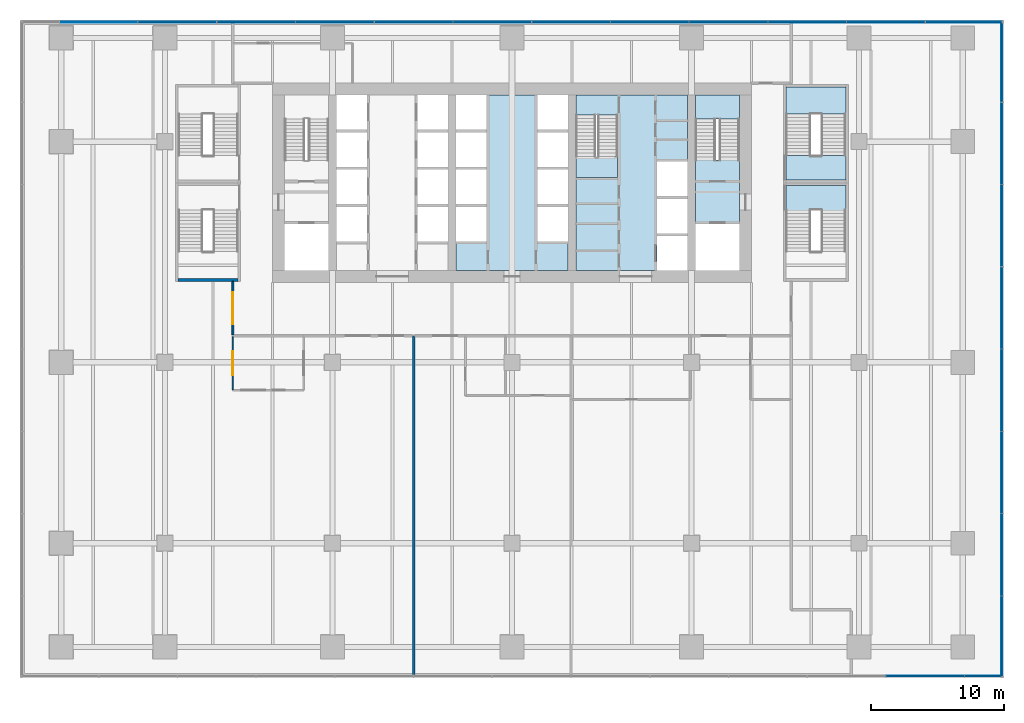
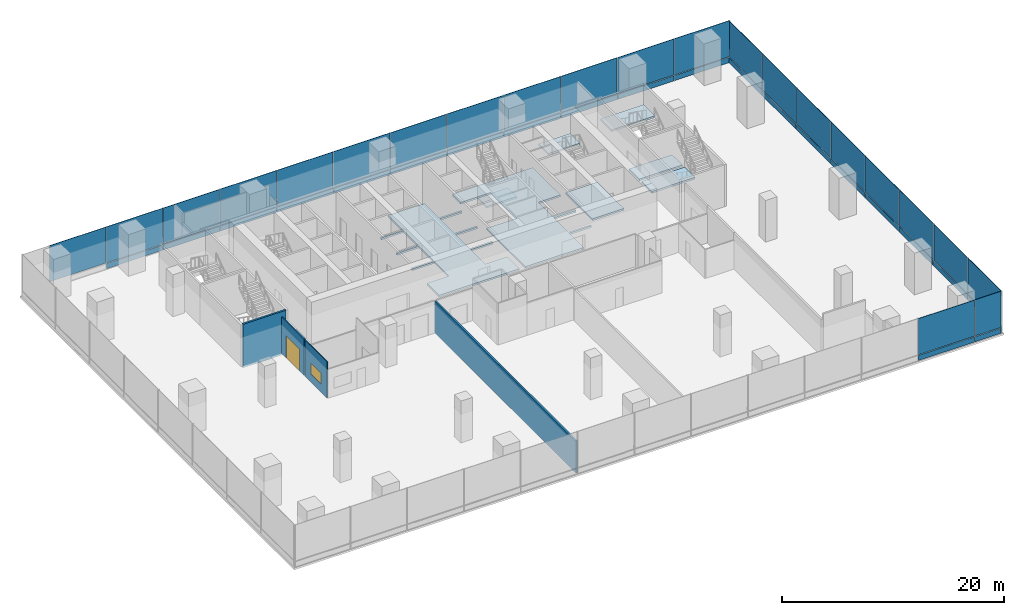
# One storey, part 18 of 28: 43 plates, 8 slabs, 4 walls, 2 windows, 2 openings, 6 elements without a shape of their own.
"""IFC4 building model written with IfcOpenShell, lengths in metres."""

from ifc_helpers import new_model, si_unit, direction, frame, frame_2d, origin, origin_2d, place, context, subcontext, project, spatial, polyline, rectangle, outline, extrude, material, layer, layer_set, type_object, element, fill, aggregate, save


model = new_model("IFC4")

# Units and contexts
model_context = context("Model", 3, precision=1e-05, world=origin(), true_north=direction((0.0, 1.0)))
body_context = subcontext(model_context, "Body", "Model", "MODEL_VIEW")
ifc_project = project(units=[si_unit("LENGTHUNIT", "METRE"), si_unit("AREAUNIT", "SQUARE_METRE"), si_unit("VOLUMEUNIT", "CUBIC_METRE"), si_unit("PLANEANGLEUNIT", "RADIAN"), si_unit("MASSUNIT", "GRAM", prefix="KILO")], contexts=[model_context])

# Site, building, storey
site_placement = place(None, origin())
site = spatial("IfcSite", under=ifc_project, at=site_placement, CompositionType="ELEMENT")
building_placement = place(site_placement, origin())
building = spatial("IfcBuilding", under=site, at=building_placement, Name="Rattan Terrace Tower", CompositionType="ELEMENT")
storey_placement = place(building_placement, frame((0.0, 0.0, 22.199951171875)))
storey = spatial("IfcBuildingStorey", under=building, at=storey_placement, Name="L04", CompositionType="ELEMENT", Elevation=22.199951171875)

# Stair, slab
ifc_material_1 = material(Name="Concrete C40/50", Category="concrete")
stair_type_1 = type_object("IfcStairType", Name="Core exit stair 1500", PredefinedType="HALF_TURN_STAIR", material=ifc_material_1)
stair_1_placement = place(storey_placement, origin())
stair_1 = element("IfcStair", 1, at=stair_1_placement, inside=storey, type_object=stair_type_1, Name="L04 exit stair 2", PredefinedType="HALF_TURN_STAIR")
ifc_material_2 = material(Name="Concrete C40/50", Category="concrete")
ifc_layer_1 = layer(ifc_material_2, 0.199951171875)
ifc_layer_set_1 = layer_set([ifc_layer_1], Name="Core exit stair landing")
slab_type_1 = type_object("IfcSlabType", Name="Core exit stair landing", PredefinedType="LANDING", material=ifc_layer_set_1)
slab_1_placement = place(storey_placement, frame((0.0, 0.0, 2.199951171875)))
slab_1 = element("IfcSlab", 2, at=slab_1_placement, type_object=slab_type_1, Name="S2 landing 1", PredefinedType="LANDING", context=body_context, shape_type="SweptSolid", body=[
    extrude(outline(polyline([(17.10009765625, 4.820068359375), (17.10009765625, 6.60009765625), (13.800048828125, 6.60009765625), (13.800048828125, 4.820068359375), (17.10009765625, 4.820068359375)])), origin(), (0.0, 0.0, 1.0), 0.2001953125),
])
aggregate(stair_1, [slab_1])

stair_2_placement = place(storey_placement, origin())
stair_2 = element("IfcStair", 3, at=stair_2_placement, inside=storey, type_object=stair_type_1, Name="L04 exit stair 3", PredefinedType="HALF_TURN_STAIR")
slab_2_placement = place(storey_placement, frame((0.0, 0.0, 2.199951171875)))
slab_2 = element("IfcSlab", 4, at=slab_2_placement, type_object=slab_type_1, Name="S3 landing 1", PredefinedType="LANDING", context=body_context, shape_type="SweptSolid", body=[
    extrude(outline(polyline([(4.800048828125, 1.97998046875), (4.800048828125, 0.39990234375), (7.949951171875, 0.39990234375), (7.949951171875, 1.97998046875), (4.800048828125, 1.97998046875)])), origin(), (0.0, 0.0, 1.0), 0.2001953125),
])
aggregate(stair_2, [slab_2])

ifc_material_3 = material(Name="Concrete C40/50", Category="concrete")
stair_type_2 = type_object("IfcStairType", Name="Core exit stair 1850", PredefinedType="HALF_TURN_STAIR", material=ifc_material_3)
stair_3_placement = place(storey_placement, origin())
stair_3 = element("IfcStair", 5, at=stair_3_placement, inside=storey, type_object=stair_type_2, Name="L04 exit stair 7", PredefinedType="HALF_TURN_STAIR")
slab_3_placement = place(storey_placement, frame((0.0, 0.0, 2.199951171875)))
slab_3 = element("IfcSlab", 6, at=slab_3_placement, type_object=slab_type_1, Name="S7 landing 1", PredefinedType="LANDING", context=body_context, shape_type="SweptSolid", body=[
    extrude(outline(polyline([(25.10009765625, 5.169921875), (25.10009765625, 7.199951171875), (20.60009765625, 7.199951171875), (20.60009765625, 5.169921875), (25.10009765625, 5.169921875)])), origin(), (0.0, 0.0, 1.0), 0.2001953125),
])
aggregate(stair_3, [slab_3])

# Slabs
ifc_material_4 = material(Name="Concrete C35/45", Category="concrete")
ifc_layer_2 = layer(ifc_material_4, 0.199951171875)
ifc_layer_set_2 = layer_set([ifc_layer_2], Name="Frame composite floor slab 200")
slab_type_2 = type_object("IfcSlabType", Name="Frame composite floor slab 200", PredefinedType="FLOOR", material=ifc_layer_set_2)
slab_4_placement = place(storey_placement, frame((0.0, 0.0, -0.199951171875)))
element("IfcSlab", 7, at=slab_4_placement, inside=storey, type_object=slab_type_2, Name="Floor slab", PredefinedType="FLOOR", context=body_context, shape_type="SweptSolid", body=[
    extrude(outline(polyline([(-4.199951171875, -6.60009765625), (4.199951171875, -6.60009765625), (4.199951171875, -4.39990234375), (1.89990234375, -4.39990234375), (1.89990234375, -1.800048828125), (4.199951171875, -1.800048828125), (4.199951171875, -1.60009765625), (1.89990234375, -1.60009765625), (1.89990234375, 1.0), (4.199951171875, 1.0), (4.199951171875, 1.199951171875), (1.89990234375, 1.199951171875), (1.89990234375, 3.800048828125), (4.199951171875, 3.800048828125), (4.199951171875, 4.0), (1.89990234375, 4.0), (1.89990234375, 6.60009765625), (-1.89990234375, 6.60009765625), (-1.89990234375, 4.0), (-4.199951171875, 4.0), (-4.199951171875, 3.800048828125), (-1.89990234375, 3.800048828125), (-1.89990234375, 1.199951171875), (-4.199951171875, 1.199951171875), (-4.199951171875, 1.0), (-1.89990234375, 1.0), (-1.89990234375, -1.60009765625), (-4.199951171875, -1.60009765625), (-4.199951171875, -1.800048828125), (-1.89990234375, -1.800048828125), (-1.89990234375, -4.39990234375), (-4.199951171875, -4.39990234375), (-4.199951171875, -6.60009765625)])), origin(), (0.0, 0.0, 1.0), 0.199951171875),
])
slab_5_placement = place(storey_placement, frame((0.0, 0.0, -0.199951171875)))
element("IfcSlab", 8, at=slab_5_placement, inside=storey, type_object=slab_type_2, Name="Floor slab", PredefinedType="FLOOR", context=body_context, shape_type="SweptSolid", body=[
    extrude(outline(polyline([(4.800048828125, -6.60009765625), (10.89990234375, -6.60009765625), (10.89990234375, -4.0), (13.199951171875, -4.0), (13.199951171875, -3.800048828125), (10.89990234375, -3.800048828125), (10.89990234375, -1.199951171875), (13.199951171875, -1.199951171875), (13.199951171875, -1.0), (10.89990234375, -1.0), (10.89990234375, 1.60009765625), (13.199951171875, 1.60009765625), (13.199951171875, 6.60009765625), (4.800048828125, 6.60009765625), (4.800048828125, 5.090087890625), (7.949951171875, 5.090087890625), (7.949951171875, 0.39990234375), (4.800048828125, 0.39990234375), (4.800048828125, -6.60009765625)])), origin(), (0.0, 0.0, 1.0), 0.199951171875),
])
slab_6_placement = place(storey_placement, frame((0.0, 0.0, -0.199951171875)))
element("IfcSlab", 9, at=slab_6_placement, inside=storey, type_object=slab_type_2, Name="Floor slab", PredefinedType="FLOOR", context=body_context, shape_type="SweptSolid", body=[
    extrude(outline(polyline([(17.10009765625, -3.10009765625), (17.10009765625, 1.7099609375), (13.800048828125, 1.7099609375), (13.800048828125, -3.10009765625), (17.10009765625, -3.10009765625)])), origin(), (0.0, 0.0, 1.0), 0.199951171875),
])
slab_7_placement = place(storey_placement, frame((0.0, 0.0, -0.199951171875)))
element("IfcSlab", 10, at=slab_7_placement, inside=storey, type_object=slab_type_2, Name="Floor slab", PredefinedType="FLOOR", context=body_context, shape_type="SweptSolid", body=[
    extrude(outline(polyline([(20.60009765625, -0.199951171875), (20.60009765625, -2.06005859375), (25.10009765625, -2.06005859375), (25.10009765625, -0.199951171875), (20.60009765625, -0.199951171875)])), origin(), (0.0, 0.0, 1.0), 0.199951171875),
])
slab_8_placement = place(storey_placement, frame((0.0, 0.0, -0.199951171875)))
element("IfcSlab", 11, at=slab_8_placement, inside=storey, type_object=slab_type_2, Name="Floor slab", PredefinedType="FLOOR", context=body_context, shape_type="SweptSolid", body=[
    extrude(outline(polyline([(20.60009765625, 0.199951171875), (25.10009765625, 0.199951171875), (25.10009765625, 2.06005859375), (20.60009765625, 2.06005859375), (20.60009765625, 0.199951171875)])), origin(), (0.0, 0.0, 1.0), 0.199951171875),
])

# Curtain wall, plates
ifc_material_5 = material(Name="Aluminium and glass", Category="aluminium")
ifc_layer_3 = layer(ifc_material_5, 0.1201171875)
ifc_layer_set_3 = layer_set([ifc_layer_3], Name="Station Storefront Curtain Wall")
curtain_wall_type = type_object("IfcCurtainWallType", Name="Station Storefront Curtain Wall", PredefinedType="NOTDEFINED", material=ifc_layer_set_3)
curtain_wall_1_placement = place(storey_placement, origin())
curtain_wall_1 = element("IfcCurtainWall", 12, at=curtain_wall_1_placement, inside=storey, type_object=curtain_wall_type, Name="Storefront curtain wall L04-1", PredefinedType="NOTDEFINED")
ifc_material_6 = material(Name="Granite bulkhead panel", Category="masonry")
ifc_layer_4 = layer(ifc_material_6, 0.110107421875)
ifc_layer_set_4 = layer_set([ifc_layer_4], Name="Storefront CW Stone Bulkhead Panel")
plate_type_1 = type_object("IfcPlateType", Name="Storefront CW Stone Bulkhead Panel", PredefinedType="CURTAIN_PANEL", material=ifc_layer_set_4)
plate_1_placement = place(storey_placement, frame((36.830078125, -34.08837890625, 0.0), z_axis=(0.0, 0.0, 1.0), x_axis=(0.0, 1.0, 0.0)))
plate_1 = element("IfcPlate", 13, at=plate_1_placement, type_object=plate_type_1, Name="Panel cwl-L04-001.1.1", PredefinedType="CURTAIN_PANEL", context=body_context, shape_type="SweptSolid", body=[
    extrude(rectangle(XDim=6.0029296875, YDim=0.110107421875, at=origin_2d()), origin(), (0.0, 0.0, 1.0), 0.574951171875),
])
plate_2_placement = place(storey_placement, frame((36.830078125, -27.968017578125, 0.0), z_axis=(0.0, 0.0, 1.0), x_axis=(0.0, 1.0, 0.0)))
plate_2 = element("IfcPlate", 14, at=plate_2_placement, type_object=plate_type_1, Name="Panel cwl-L04-001.2.1", PredefinedType="CURTAIN_PANEL", context=body_context, shape_type="SweptSolid", body=[
    extrude(rectangle(XDim=6.137939453125, YDim=0.110107421875, at=origin_2d()), origin(), (0.0, 0.0, 1.0), 0.574951171875),
])
plate_3_placement = place(storey_placement, frame((36.830078125, -21.780029296875, 0.0), z_axis=(0.0, 0.0, 1.0), x_axis=(0.0, 1.0, 0.0)))
plate_3 = element("IfcPlate", 15, at=plate_3_placement, type_object=plate_type_1, Name="Panel cwl-L04-001.3.1", PredefinedType="CURTAIN_PANEL", context=body_context, shape_type="SweptSolid", body=[
    extrude(rectangle(XDim=6.137939453125, YDim=0.110107421875, at=origin_2d()), origin(), (0.0, 0.0, 1.0), 0.574951171875),
])
plate_4_placement = place(storey_placement, frame((36.830078125, -15.592041015625, 0.0), z_axis=(0.0, 0.0, 1.0), x_axis=(0.0, 1.0, 0.0)))
plate_4 = element("IfcPlate", 16, at=plate_4_placement, type_object=plate_type_1, Name="Panel cwl-L04-001.4.1", PredefinedType="CURTAIN_PANEL", context=body_context, shape_type="SweptSolid", body=[
    extrude(rectangle(XDim=6.137939453125, YDim=0.110107421875, at=origin_2d()), origin(), (0.0, 0.0, 1.0), 0.574951171875),
])
plate_5_placement = place(storey_placement, frame((36.830078125, -9.404052734375, 0.0), z_axis=(0.0, 0.0, 1.0), x_axis=(0.0, 1.0, 0.0)))
plate_5 = element("IfcPlate", 17, at=plate_5_placement, type_object=plate_type_1, Name="Panel cwl-L04-001.5.1", PredefinedType="CURTAIN_PANEL", context=body_context, shape_type="SweptSolid", body=[
    extrude(rectangle(XDim=6.137939453125, YDim=0.110107421875, at=origin_2d()), origin(), (0.0, 0.0, 1.0), 0.574951171875),
])
plate_6_placement = place(storey_placement, frame((36.830078125, -3.216064453125, 0.0), z_axis=(0.0, 0.0, 1.0), x_axis=(0.0, 1.0, 0.0)))
plate_6 = element("IfcPlate", 18, at=plate_6_placement, type_object=plate_type_1, Name="Panel cwl-L04-001.6.1", PredefinedType="CURTAIN_PANEL", context=body_context, shape_type="SweptSolid", body=[
    extrude(rectangle(XDim=6.137939453125, YDim=0.110107421875, at=origin_2d()), origin(), (0.0, 0.0, 1.0), 0.574951171875),
])
plate_7_placement = place(storey_placement, frame((36.830078125, 2.971923828125, 0.0), z_axis=(0.0, 0.0, 1.0), x_axis=(0.0, 1.0, 0.0)))
plate_7 = element("IfcPlate", 19, at=plate_7_placement, type_object=plate_type_1, Name="Panel cwl-L04-001.7.1", PredefinedType="CURTAIN_PANEL", context=body_context, shape_type="SweptSolid", body=[
    extrude(rectangle(XDim=6.137939453125, YDim=0.110107421875, at=origin_2d()), origin(), (0.0, 0.0, 1.0), 0.574951171875),
])
plate_8_placement = place(storey_placement, frame((36.830078125, 9.055419921875, 0.0), z_axis=(0.0, 0.0, 1.0), x_axis=(0.0, 1.0, 0.0)))
plate_8 = element("IfcPlate", 20, at=plate_8_placement, type_object=plate_type_1, Name="Panel cwl-L04-001.8.1", PredefinedType="CURTAIN_PANEL", context=body_context, shape_type="SweptSolid", body=[
    extrude(rectangle(XDim=5.928955078125, YDim=0.110107421875, at=origin_2d()), origin(), (0.0, 0.0, 1.0), 0.574951171875),
])

curtain_wall_2_placement = place(storey_placement, origin())
curtain_wall_2 = element("IfcCurtainWall", 21, at=curtain_wall_2_placement, inside=storey, type_object=curtain_wall_type, Name="Storefront curtain wall L04-2", PredefinedType="NOTDEFINED")
plate_9_placement = place(storey_placement, frame((33.972412109375, 12.080078125, 0.0), z_axis=(0.0, 0.0, 1.0), x_axis=(-1.0, 0.0, 0.0)))
plate_9 = element("IfcPlate", 22, at=plate_9_placement, type_object=plate_type_1, Name="Panel cwl-L04-002.1.1", PredefinedType="CURTAIN_PANEL", context=body_context, shape_type="SweptSolid", body=[
    extrude(rectangle(XDim=5.735107421875, YDim=0.110107421875, at=origin_2d()), origin(), (0.0, 0.0, 1.0), 0.574951171875),
])
plate_10_placement = place(storey_placement, frame((28.1201171875, 12.080078125, 0.0), z_axis=(0.0, 0.0, 1.0), x_axis=(-1.0, 0.0, 0.0)))
plate_10 = element("IfcPlate", 23, at=plate_10_placement, type_object=plate_type_1, Name="Panel cwl-L04-002.2.1", PredefinedType="CURTAIN_PANEL", context=body_context, shape_type="SweptSolid", body=[
    extrude(rectangle(XDim=5.8701171875, YDim=0.110107421875, at=origin_2d()), origin(), (0.0, 0.0, 1.0), 0.574951171875),
])
plate_11_placement = place(storey_placement, frame((22.199951171875, 12.080078125, 0.0), z_axis=(0.0, 0.0, 1.0), x_axis=(-1.0, 0.0, 0.0)))
plate_11 = element("IfcPlate", 24, at=plate_11_placement, type_object=plate_type_1, Name="Panel cwl-L04-002.3.1", PredefinedType="CURTAIN_PANEL", context=body_context, shape_type="SweptSolid", body=[
    extrude(rectangle(XDim=5.8701171875, YDim=0.110107421875, at=origin_2d()), origin(), (0.0, 0.0, 1.0), 0.574951171875),
])
plate_12_placement = place(storey_placement, frame((16.280029296875, 12.080078125, 0.0), z_axis=(0.0, 0.0, 1.0), x_axis=(-1.0, 0.0, 0.0)))
plate_12 = element("IfcPlate", 25, at=plate_12_placement, type_object=plate_type_1, Name="Panel cwl-L04-002.4.1", PredefinedType="CURTAIN_PANEL", context=body_context, shape_type="SweptSolid", body=[
    extrude(rectangle(XDim=5.8701171875, YDim=0.110107421875, at=origin_2d()), origin(), (0.0, 0.0, 1.0), 0.574951171875),
])
plate_13_placement = place(storey_placement, frame((10.360107421875, 12.080078125, 0.0), z_axis=(0.0, 0.0, 1.0), x_axis=(-1.0, 0.0, 0.0)))
plate_13 = element("IfcPlate", 26, at=plate_13_placement, type_object=plate_type_1, Name="Panel cwl-L04-002.5.1", PredefinedType="CURTAIN_PANEL", context=body_context, shape_type="SweptSolid", body=[
    extrude(rectangle(XDim=5.8701171875, YDim=0.110107421875, at=origin_2d()), origin(), (0.0, 0.0, 1.0), 0.574951171875),
])
plate_14_placement = place(storey_placement, frame((4.43994140625, 12.080078125, 0.0), z_axis=(0.0, 0.0, 1.0), x_axis=(-1.0, 0.0, 0.0)))
plate_14 = element("IfcPlate", 27, at=plate_14_placement, type_object=plate_type_1, Name="Panel cwl-L04-002.6.1", PredefinedType="CURTAIN_PANEL", context=body_context, shape_type="SweptSolid", body=[
    extrude(rectangle(XDim=5.8701171875, YDim=0.110107421875, at=origin_2d()), origin(), (0.0, 0.0, 1.0), 0.574951171875),
])
plate_15_placement = place(storey_placement, frame((-1.47998046875, 12.080078125, 0.0), z_axis=(0.0, 0.0, 1.0), x_axis=(-1.0, 0.0, 0.0)))
plate_15 = element("IfcPlate", 28, at=plate_15_placement, type_object=plate_type_1, Name="Panel cwl-L04-002.7.1", PredefinedType="CURTAIN_PANEL", context=body_context, shape_type="SweptSolid", body=[
    extrude(rectangle(XDim=5.8701171875, YDim=0.110107421875, at=origin_2d()), origin(), (0.0, 0.0, 1.0), 0.574951171875),
])
plate_16_placement = place(storey_placement, frame((-7.39990234375, 12.080078125, 0.0), z_axis=(0.0, 0.0, 1.0), x_axis=(-1.0, 0.0, 0.0)))
plate_16 = element("IfcPlate", 29, at=plate_16_placement, type_object=plate_type_1, Name="Panel cwl-L04-002.8.1", PredefinedType="CURTAIN_PANEL", context=body_context, shape_type="SweptSolid", body=[
    extrude(rectangle(XDim=5.8701171875, YDim=0.110107421875, at=origin_2d()), origin(), (0.0, 0.0, 1.0), 0.574951171875),
])
plate_17_placement = place(storey_placement, frame((-13.320068359375, 12.080078125, 0.0), z_axis=(0.0, 0.0, 1.0), x_axis=(-1.0, 0.0, 0.0)))
plate_17 = element("IfcPlate", 30, at=plate_17_placement, type_object=plate_type_1, Name="Panel cwl-L04-002.9.1", PredefinedType="CURTAIN_PANEL", context=body_context, shape_type="SweptSolid", body=[
    extrude(rectangle(XDim=5.8701171875, YDim=0.110107421875, at=origin_2d()), origin(), (0.0, 0.0, 1.0), 0.574951171875),
])
plate_18_placement = place(storey_placement, frame((-19.239990234375, 12.080078125, 0.0), z_axis=(0.0, 0.0, 1.0), x_axis=(-1.0, 0.0, 0.0)))
plate_18 = element("IfcPlate", 31, at=plate_18_placement, type_object=plate_type_1, Name="Panel cwl-L04-002.10.1", PredefinedType="CURTAIN_PANEL", context=body_context, shape_type="SweptSolid", body=[
    extrude(rectangle(XDim=5.8701171875, YDim=0.110107421875, at=origin_2d()), origin(), (0.0, 0.0, 1.0), 0.574951171875),
])
plate_19_placement = place(storey_placement, frame((-25.159912109375, 12.080078125, 0.0), z_axis=(0.0, 0.0, 1.0), x_axis=(-1.0, 0.0, 0.0)))
plate_19 = element("IfcPlate", 32, at=plate_19_placement, type_object=plate_type_1, Name="Panel cwl-L04-002.11.1", PredefinedType="CURTAIN_PANEL", context=body_context, shape_type="SweptSolid", body=[
    extrude(rectangle(XDim=5.8701171875, YDim=0.110107421875, at=origin_2d()), origin(), (0.0, 0.0, 1.0), 0.574951171875),
])

curtain_wall_3_placement = place(storey_placement, origin())
curtain_wall_3 = element("IfcCurtainWall", 33, at=curtain_wall_3_placement, inside=storey, type_object=curtain_wall_type, Name="Storefront curtain wall L04-4", PredefinedType="NOTDEFINED")
plate_20_placement = place(storey_placement, frame((31.080078125, -37.080078125, 0.0), z_axis=(0.0, 0.0, 1.0), x_axis=(1.0, 0.0, 0.0)))
plate_20 = element("IfcPlate", 34, at=plate_20_placement, type_object=plate_type_1, Name="Panel cwl-L04-004.12.1", PredefinedType="CURTAIN_PANEL", context=body_context, shape_type="SweptSolid", body=[
    extrude(rectangle(XDim=5.8701171875, YDim=0.110107421875, at=origin_2d()), origin(), (0.0, 0.0, 1.0), 0.574951171875),
])
plate_21_placement = place(storey_placement, frame((35.41748046875, -37.080078125, 0.0), z_axis=(0.0, 0.0, 1.0), x_axis=(1.0, 0.0, 0.0)))
plate_21 = element("IfcPlate", 35, at=plate_21_placement, type_object=plate_type_1, Name="Panel cwl-L04-004.13.1", PredefinedType="CURTAIN_PANEL", context=body_context, shape_type="SweptSolid", body=[
    extrude(rectangle(XDim=2.705078125, YDim=0.110107421875, at=origin_2d()), origin(), (0.0, 0.0, 1.0), 0.574951171875),
])

# Plate
ifc_material_7 = material(Name="Clear toughened glass", Category="glass")
ifc_layer_5 = layer(ifc_material_7, 0.0439453125)
ifc_layer_set_5 = layer_set([ifc_layer_5], Name="Storefront CW Vision Panel")
plate_type_2 = type_object("IfcPlateType", Name="Storefront CW Vision Panel", PredefinedType="CURTAIN_PANEL", material=ifc_layer_set_5)
plate_22_placement = place(storey_placement, frame((36.830078125, -34.08837890625, 0.625), z_axis=(0.0, 0.0, 1.0), x_axis=(0.0, 1.0, 0.0)))
plate_22 = element("IfcPlate", 36, at=plate_22_placement, type_object=plate_type_2, Name="Panel cwl-L04-001.1.2", PredefinedType="CURTAIN_PANEL", context=body_context, shape_type="SweptSolid", body=[
    extrude(rectangle(XDim=6.0029296875, YDim=0.0439453125, at=origin_2d()), origin(), (0.0, 0.0, 1.0), 3.97509765625),
])

plate_23_placement = place(storey_placement, frame((36.830078125, -27.968017578125, 0.625), z_axis=(0.0, 0.0, 1.0), x_axis=(0.0, 1.0, 0.0)))
plate_23 = element("IfcPlate", 37, at=plate_23_placement, type_object=plate_type_2, Name="Panel cwl-L04-001.2.2", PredefinedType="CURTAIN_PANEL", context=body_context, shape_type="SweptSolid", body=[
    extrude(rectangle(XDim=6.137939453125, YDim=0.0439453125, at=origin_2d()), origin(), (0.0, 0.0, 1.0), 3.97509765625),
])

plate_24_placement = place(storey_placement, frame((36.830078125, -21.780029296875, 0.625), z_axis=(0.0, 0.0, 1.0), x_axis=(0.0, 1.0, 0.0)))
plate_24 = element("IfcPlate", 38, at=plate_24_placement, type_object=plate_type_2, Name="Panel cwl-L04-001.3.2", PredefinedType="CURTAIN_PANEL", context=body_context, shape_type="SweptSolid", body=[
    extrude(rectangle(XDim=6.137939453125, YDim=0.0439453125, at=origin_2d()), origin(), (0.0, 0.0, 1.0), 3.97509765625),
])

plate_25_placement = place(storey_placement, frame((36.830078125, -15.592041015625, 0.625), z_axis=(0.0, 0.0, 1.0), x_axis=(0.0, 1.0, 0.0)))
plate_25 = element("IfcPlate", 39, at=plate_25_placement, type_object=plate_type_2, Name="Panel cwl-L04-001.4.2", PredefinedType="CURTAIN_PANEL", context=body_context, shape_type="SweptSolid", body=[
    extrude(rectangle(XDim=6.137939453125, YDim=0.0439453125, at=origin_2d()), origin(), (0.0, 0.0, 1.0), 3.97509765625),
])

plate_26_placement = place(storey_placement, frame((36.830078125, -9.404052734375, 0.625), z_axis=(0.0, 0.0, 1.0), x_axis=(0.0, 1.0, 0.0)))
plate_26 = element("IfcPlate", 40, at=plate_26_placement, type_object=plate_type_2, Name="Panel cwl-L04-001.5.2", PredefinedType="CURTAIN_PANEL", context=body_context, shape_type="SweptSolid", body=[
    extrude(rectangle(XDim=6.137939453125, YDim=0.0439453125, at=origin_2d()), origin(), (0.0, 0.0, 1.0), 3.97509765625),
])

plate_27_placement = place(storey_placement, frame((36.830078125, -3.216064453125, 0.625), z_axis=(0.0, 0.0, 1.0), x_axis=(0.0, 1.0, 0.0)))
plate_27 = element("IfcPlate", 41, at=plate_27_placement, type_object=plate_type_2, Name="Panel cwl-L04-001.6.2", PredefinedType="CURTAIN_PANEL", context=body_context, shape_type="SweptSolid", body=[
    extrude(rectangle(XDim=6.137939453125, YDim=0.0439453125, at=origin_2d()), origin(), (0.0, 0.0, 1.0), 3.97509765625),
])

plate_28_placement = place(storey_placement, frame((36.830078125, 2.971923828125, 0.625), z_axis=(0.0, 0.0, 1.0), x_axis=(0.0, 1.0, 0.0)))
plate_28 = element("IfcPlate", 42, at=plate_28_placement, type_object=plate_type_2, Name="Panel cwl-L04-001.7.2", PredefinedType="CURTAIN_PANEL", context=body_context, shape_type="SweptSolid", body=[
    extrude(rectangle(XDim=6.137939453125, YDim=0.0439453125, at=origin_2d()), origin(), (0.0, 0.0, 1.0), 3.97509765625),
])

plate_29_placement = place(storey_placement, frame((36.830078125, 9.055419921875, 0.625), z_axis=(0.0, 0.0, 1.0), x_axis=(0.0, 1.0, 0.0)))
plate_29 = element("IfcPlate", 43, at=plate_29_placement, type_object=plate_type_2, Name="Panel cwl-L04-001.8.2", PredefinedType="CURTAIN_PANEL", context=body_context, shape_type="SweptSolid", body=[
    extrude(rectangle(XDim=5.928955078125, YDim=0.0439453125, at=origin_2d()), origin(), (0.0, 0.0, 1.0), 3.97509765625),
])

aggregate(curtain_wall_1, [plate_1, plate_22, plate_2, plate_23, plate_3, plate_24, plate_4, plate_25, plate_5, plate_26, plate_6, plate_27, plate_7, plate_28, plate_8, plate_29])

plate_30_placement = place(storey_placement, frame((33.972412109375, 12.080078125, 0.625), z_axis=(0.0, 0.0, 1.0), x_axis=(-1.0, 0.0, 0.0)))
plate_30 = element("IfcPlate", 44, at=plate_30_placement, type_object=plate_type_2, Name="Panel cwl-L04-002.1.2", PredefinedType="CURTAIN_PANEL", context=body_context, shape_type="SweptSolid", body=[
    extrude(rectangle(XDim=5.735107421875, YDim=0.0439453125, at=origin_2d()), origin(), (0.0, 0.0, 1.0), 3.97509765625),
])

plate_31_placement = place(storey_placement, frame((28.1201171875, 12.080078125, 0.625), z_axis=(0.0, 0.0, 1.0), x_axis=(-1.0, 0.0, 0.0)))
plate_31 = element("IfcPlate", 45, at=plate_31_placement, type_object=plate_type_2, Name="Panel cwl-L04-002.2.2", PredefinedType="CURTAIN_PANEL", context=body_context, shape_type="SweptSolid", body=[
    extrude(rectangle(XDim=5.8701171875, YDim=0.0439453125, at=origin_2d()), origin(), (0.0, 0.0, 1.0), 3.97509765625),
])

plate_32_placement = place(storey_placement, frame((22.199951171875, 12.080078125, 0.625), z_axis=(0.0, 0.0, 1.0), x_axis=(-1.0, 0.0, 0.0)))
plate_32 = element("IfcPlate", 46, at=plate_32_placement, type_object=plate_type_2, Name="Panel cwl-L04-002.3.2", PredefinedType="CURTAIN_PANEL", context=body_context, shape_type="SweptSolid", body=[
    extrude(rectangle(XDim=5.8701171875, YDim=0.0439453125, at=origin_2d()), origin(), (0.0, 0.0, 1.0), 3.97509765625),
])

plate_33_placement = place(storey_placement, frame((16.280029296875, 12.080078125, 0.625), z_axis=(0.0, 0.0, 1.0), x_axis=(-1.0, 0.0, 0.0)))
plate_33 = element("IfcPlate", 47, at=plate_33_placement, type_object=plate_type_2, Name="Panel cwl-L04-002.4.2", PredefinedType="CURTAIN_PANEL", context=body_context, shape_type="SweptSolid", body=[
    extrude(rectangle(XDim=5.8701171875, YDim=0.0439453125, at=origin_2d()), origin(), (0.0, 0.0, 1.0), 3.97509765625),
])

plate_34_placement = place(storey_placement, frame((10.360107421875, 12.080078125, 0.625), z_axis=(0.0, 0.0, 1.0), x_axis=(-1.0, 0.0, 0.0)))
plate_34 = element("IfcPlate", 48, at=plate_34_placement, type_object=plate_type_2, Name="Panel cwl-L04-002.5.2", PredefinedType="CURTAIN_PANEL", context=body_context, shape_type="SweptSolid", body=[
    extrude(rectangle(XDim=5.8701171875, YDim=0.0439453125, at=origin_2d()), origin(), (0.0, 0.0, 1.0), 3.97509765625),
])

plate_35_placement = place(storey_placement, frame((4.43994140625, 12.080078125, 0.625), z_axis=(0.0, 0.0, 1.0), x_axis=(-1.0, 0.0, 0.0)))
plate_35 = element("IfcPlate", 49, at=plate_35_placement, type_object=plate_type_2, Name="Panel cwl-L04-002.6.2", PredefinedType="CURTAIN_PANEL", context=body_context, shape_type="SweptSolid", body=[
    extrude(rectangle(XDim=5.8701171875, YDim=0.0439453125, at=origin_2d()), origin(), (0.0, 0.0, 1.0), 3.97509765625),
])

plate_36_placement = place(storey_placement, frame((-1.47998046875, 12.080078125, 0.625), z_axis=(0.0, 0.0, 1.0), x_axis=(-1.0, 0.0, 0.0)))
plate_36 = element("IfcPlate", 50, at=plate_36_placement, type_object=plate_type_2, Name="Panel cwl-L04-002.7.2", PredefinedType="CURTAIN_PANEL", context=body_context, shape_type="SweptSolid", body=[
    extrude(rectangle(XDim=5.8701171875, YDim=0.0439453125, at=origin_2d()), origin(), (0.0, 0.0, 1.0), 3.97509765625),
])

plate_37_placement = place(storey_placement, frame((-7.39990234375, 12.080078125, 0.625), z_axis=(0.0, 0.0, 1.0), x_axis=(-1.0, 0.0, 0.0)))
plate_37 = element("IfcPlate", 51, at=plate_37_placement, type_object=plate_type_2, Name="Panel cwl-L04-002.8.2", PredefinedType="CURTAIN_PANEL", context=body_context, shape_type="SweptSolid", body=[
    extrude(rectangle(XDim=5.8701171875, YDim=0.0439453125, at=origin_2d()), origin(), (0.0, 0.0, 1.0), 3.97509765625),
])

plate_38_placement = place(storey_placement, frame((-13.320068359375, 12.080078125, 0.625), z_axis=(0.0, 0.0, 1.0), x_axis=(-1.0, 0.0, 0.0)))
plate_38 = element("IfcPlate", 52, at=plate_38_placement, type_object=plate_type_2, Name="Panel cwl-L04-002.9.2", PredefinedType="CURTAIN_PANEL", context=body_context, shape_type="SweptSolid", body=[
    extrude(rectangle(XDim=5.8701171875, YDim=0.0439453125, at=origin_2d()), origin(), (0.0, 0.0, 1.0), 3.97509765625),
])

plate_39_placement = place(storey_placement, frame((-19.239990234375, 12.080078125, 0.625), z_axis=(0.0, 0.0, 1.0), x_axis=(-1.0, 0.0, 0.0)))
plate_39 = element("IfcPlate", 53, at=plate_39_placement, type_object=plate_type_2, Name="Panel cwl-L04-002.10.2", PredefinedType="CURTAIN_PANEL", context=body_context, shape_type="SweptSolid", body=[
    extrude(rectangle(XDim=5.8701171875, YDim=0.0439453125, at=origin_2d()), origin(), (0.0, 0.0, 1.0), 3.97509765625),
])

plate_40_placement = place(storey_placement, frame((-25.159912109375, 12.080078125, 0.625), z_axis=(0.0, 0.0, 1.0), x_axis=(-1.0, 0.0, 0.0)))
plate_40 = element("IfcPlate", 54, at=plate_40_placement, type_object=plate_type_2, Name="Panel cwl-L04-002.11.2", PredefinedType="CURTAIN_PANEL", context=body_context, shape_type="SweptSolid", body=[
    extrude(rectangle(XDim=5.8701171875, YDim=0.0439453125, at=origin_2d()), origin(), (0.0, 0.0, 1.0), 3.97509765625),
])

plate_41_placement = place(storey_placement, frame((-31.080078125, 12.080078125, 0.625), z_axis=(0.0, 0.0, 1.0), x_axis=(-1.0, 0.0, 0.0)))
plate_41 = element("IfcPlate", 55, at=plate_41_placement, type_object=plate_type_2, Name="Panel cwl-L04-002.12.2", PredefinedType="CURTAIN_PANEL", context=body_context, shape_type="SweptSolid", body=[
    extrude(rectangle(XDim=5.8701171875, YDim=0.0439453125, at=origin_2d()), origin(), (0.0, 0.0, 1.0), 3.97509765625),
])

aggregate(curtain_wall_2, [plate_9, plate_30, plate_10, plate_31, plate_11, plate_32, plate_12, plate_33, plate_13, plate_34, plate_14, plate_35, plate_15, plate_36, plate_16, plate_37, plate_17, plate_38, plate_18, plate_39, plate_19, plate_40, plate_41])

plate_42_placement = place(storey_placement, frame((31.080078125, -37.080078125, 0.625), z_axis=(0.0, 0.0, 1.0), x_axis=(1.0, 0.0, 0.0)))
plate_42 = element("IfcPlate", 56, at=plate_42_placement, type_object=plate_type_2, Name="Panel cwl-L04-004.12.2", PredefinedType="CURTAIN_PANEL", context=body_context, shape_type="SweptSolid", body=[
    extrude(rectangle(XDim=5.8701171875, YDim=0.0439453125, at=origin_2d()), origin(), (0.0, 0.0, 1.0), 3.97509765625),
])

plate_43_placement = place(storey_placement, frame((35.41748046875, -37.080078125, 0.625), z_axis=(0.0, 0.0, 1.0), x_axis=(1.0, 0.0, 0.0)))
plate_43 = element("IfcPlate", 57, at=plate_43_placement, type_object=plate_type_2, Name="Panel cwl-L04-004.13.2", PredefinedType="CURTAIN_PANEL", context=body_context, shape_type="SweptSolid", body=[
    extrude(rectangle(XDim=2.705078125, YDim=0.0439453125, at=origin_2d()), origin(), (0.0, 0.0, 1.0), 3.97509765625),
])

aggregate(curtain_wall_3, [plate_20, plate_42, plate_21, plate_43])

# Wall
ifc_material_8 = material(Name="Double steel stud acoustic partition, gypsum board, mineral wool, fire rated", Category="steel")
ifc_layer_6 = layer(ifc_material_8, 0.179931640625)
ifc_layer_set_6 = layer_set([ifc_layer_6], Name="Floors Acoustic Party Wall 180")
wall_type_1 = type_object("IfcWallType", Name="Floors Acoustic Party Wall 180", PredefinedType="PARTITIONING", material=ifc_layer_set_6)
wall_1_placement = place(storey_placement, frame((-7.39990234375, -11.5, 0.0), z_axis=(0.0, 0.0, 1.0), x_axis=(0.0, -1.0, 0.0)))
element("IfcWall", 58, at=wall_1_placement, inside=storey, type_object=wall_type_1, Name="pt-L04-016", PredefinedType="PARTITIONING", context=body_context, shape_type="SweptSolid", body=[
    extrude(rectangle(XDim=25.489990234375, YDim=0.179931640625, at=frame_2d((12.7451171875, 0.0))), origin(), (0.0, 0.0, 1.0), 3.5),
])

# Wall, opening, window
ifc_material_9 = material(Name="Gypsum board partition on steel studs", Category="steel")
ifc_layer_7 = layer(ifc_material_9, 0.10009765625)
ifc_layer_set_7 = layer_set([ifc_layer_7], Name="Floors Partition 100")
wall_type_2 = type_object("IfcWallType", Name="Floors Partition 100", PredefinedType="PARTITIONING", material=ifc_layer_set_7)
wall_2_placement = place(storey_placement, frame((-21.0, -11.574951171875, 0.0), z_axis=(0.0, 0.0, 1.0), x_axis=(0.0, -1.0, 0.0)))
wall_2 = element("IfcWall", 59, at=wall_2_placement, inside=storey, type_object=wall_type_2, Name="pt-L04-013", PredefinedType="PARTITIONING", context=body_context, shape_type="SweptSolid", body=[
    extrude(rectangle(XDim=3.968994140625, YDim=0.10009765625, at=frame_2d((1.984375, 0.0))), origin(), (0.0, 0.0, 1.0), 4.0),
])
opening_1_placement = place(wall_2_placement, frame((1.083984375, 0.0, 0.89990234375)))
opening_1 = element("IfcOpeningElement", 60, at=opening_1_placement, cuts=wall_2, Name="Opening L04-W102", PredefinedType="OPENING", context=body_context, shape_type="SweptSolid", body=[
    extrude(rectangle(XDim=1.800048828125, YDim=1.199951171875, at=frame_2d((0.89990234375, 0.60009765625))), frame((0.0, 0.060546875, 0.0), z_axis=(0.0, -1.0, 0.0), x_axis=(1.0, 0.0, 0.0)), (0.0, 0.0, 1.0), 0.12109375),
])
ifc_material_10 = material(Name="Glass, clear, fixed in aluminium frame", Category="aluminium")
window_type_1 = type_object("IfcWindowType", Name="Interior Vision Window 1800x1200", PartitioningType="SINGLE_PANEL", PredefinedType="WINDOW", material=ifc_material_10)
window_1_placement = place(opening_1_placement, origin())
window_1 = element("IfcWindow", 61, at=window_1_placement, inside=storey, type_object=window_type_1, Name="w-L04-102", OverallHeight=1.199951171875, OverallWidth=1.800048828125, PartitioningType="SINGLE_PANEL", PredefinedType="WINDOW", context=body_context, shape_type="SweptSolid", body=[
    extrude(rectangle(XDim=1.800048828125, YDim=1.199951171875, at=frame_2d((0.89990234375, 0.60009765625))), frame((0.0, 0.030029296875, 0.0), z_axis=(0.0, -1.0, 0.0), x_axis=(1.0, 0.0, 0.0)), (0.0, 0.0, 1.0), 0.06005859375),
])
fill(opening_1, window_1)

ifc_material_11 = material(Name="Gypsum board partition on steel studs, fire rated", Category="steel")
ifc_layer_8 = layer(ifc_material_11, 0.14990234375)
ifc_layer_set_8 = layer_set([ifc_layer_8], Name="Floors Tenancy Wall 150")
wall_type_3 = type_object("IfcWallType", Name="Floors Tenancy Wall 150", PredefinedType="PARTITIONING", material=ifc_layer_set_8)
wall_3_placement = place(storey_placement, frame((-21.0, -11.425048828125, 0.0), z_axis=(0.0, 0.0, 1.0), x_axis=(0.0, 1.0, 0.0)))
wall_3 = element("IfcWall", 62, at=wall_3_placement, inside=storey, type_object=wall_type_3, Name="pt-L04-001", PredefinedType="PARTITIONING", context=body_context, shape_type="SweptSolid", body=[
    extrude(rectangle(XDim=4.025146484375, YDim=0.14990234375, at=frame_2d((2.0126953125, 0.0))), origin(), (0.0, 0.0, 1.0), 4.0),
])
opening_2_placement = place(wall_3_placement, frame((0.81298828125, 0.0, 0.0)))
opening_2 = element("IfcOpeningElement", 63, at=opening_2_placement, cuts=wall_3, Name="Opening L04-W100", PredefinedType="OPENING", context=body_context, shape_type="SweptSolid", body=[
    extrude(rectangle(XDim=2.39990234375, YDim=2.39990234375, at=frame_2d((1.199951171875, 1.199951171875))), frame((0.0, 0.08544921875, 0.0), z_axis=(0.0, -1.0, 0.0), x_axis=(1.0, 0.0, 0.0)), (0.0, 0.0, 1.0), 0.1708984375),
])
ifc_material_12 = material(Name="Glass, clear, fixed in aluminium frame", Category="aluminium")
window_type_2 = type_object("IfcWindowType", Name="Interior Glazed Screen 2400x2400", PartitioningType="SINGLE_PANEL", PredefinedType="WINDOW", material=ifc_material_12)
window_2_placement = place(opening_2_placement, origin())
window_2 = element("IfcWindow", 64, at=window_2_placement, inside=storey, type_object=window_type_2, Name="w-L04-100", OverallHeight=2.39990234375, OverallWidth=2.39990234375, PartitioningType="SINGLE_PANEL", PredefinedType="WINDOW", context=body_context, shape_type="SweptSolid", body=[
    extrude(rectangle(XDim=2.39990234375, YDim=2.39990234375, at=frame_2d((1.199951171875, 1.199951171875))), frame((0.0, 0.030029296875, 0.0), z_axis=(0.0, -1.0, 0.0), x_axis=(1.0, 0.0, 0.0)), (0.0, 0.0, 1.0), 0.06005859375),
])
fill(opening_2, window_2)

# Wall
ifc_material_13 = material(Name="Concrete C40/50", Category="concrete")
ifc_layer_9 = layer(ifc_material_13, 0.199951171875)
ifc_layer_set_9 = layer_set([ifc_layer_9], Name="Podium exit stair shaft wall 200")
wall_type_4 = type_object("IfcWallType", Name="Podium exit stair shaft wall 200", PredefinedType="SHEAR", material=ifc_layer_set_9)
wall_4_placement = place(storey_placement, frame((-25.10009765625, -7.300048828125, -0.199951171875), z_axis=(0.0, 0.0, 1.0), x_axis=(1.0, 0.0, 0.0)))
element("IfcWall", 65, at=wall_4_placement, inside=storey, type_object=wall_type_4, Name="L04 stair S4 shaft wall", PredefinedType="SHEAR", context=body_context, shape_type="SweptSolid", body=[
    extrude(rectangle(XDim=4.5, YDim=0.199951171875, at=frame_2d((2.25, 0.0))), origin(), (0.0, 0.0, 1.0), 4.800048828125),
])

save(model, "model.ifc")
